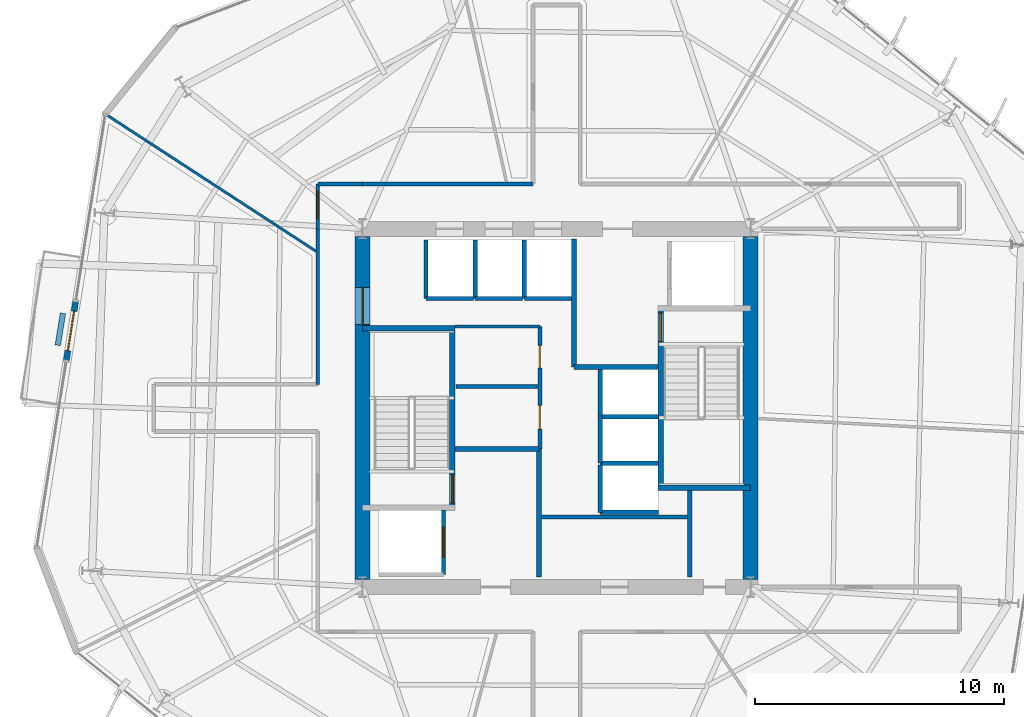
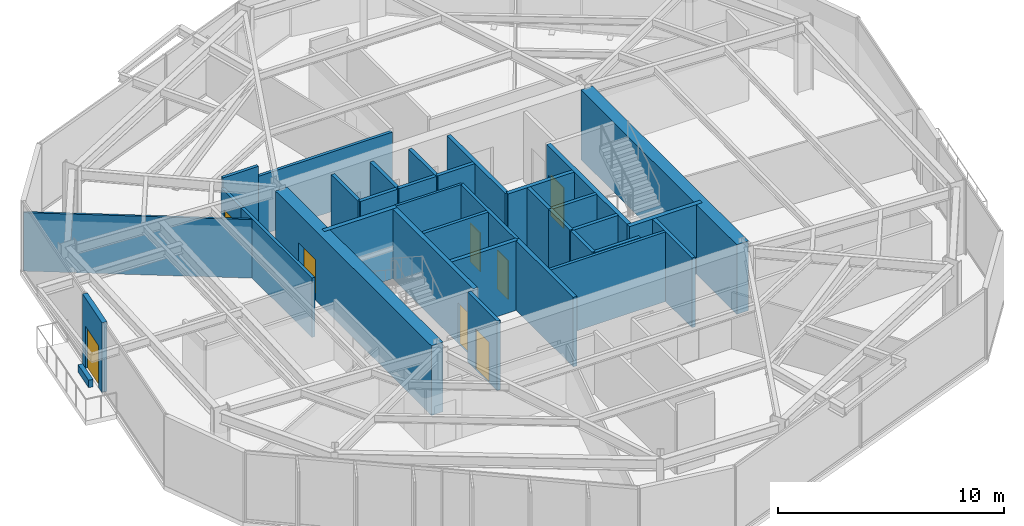
# One storey, part 7 of 11: 35 walls, 8 doors, 8 openings.
"""IFC4 building model written with IfcOpenShell, lengths in metres."""

from ifc_helpers import new_model, si_unit, direction, frame, frame_2d, origin, place, context, subcontext, project, spatial, rectangle, extrude, material, layer, layer_set, type_object, element, fill, save


model = new_model("IFC4")

# Units and contexts
model_context = context("Model", 3, precision=1e-05, world=origin(), true_north=direction((0.0, 1.0)))
body_context = subcontext(model_context, "Body", "Model", "MODEL_VIEW")
ifc_project = project(units=[si_unit("LENGTHUNIT", "METRE"), si_unit("AREAUNIT", "SQUARE_METRE"), si_unit("VOLUMEUNIT", "CUBIC_METRE"), si_unit("PLANEANGLEUNIT", "RADIAN"), si_unit("MASSUNIT", "GRAM", prefix="KILO")], contexts=[model_context])

# Site, building, storey
site_placement = place(None, origin())
site = spatial("IfcSite", under=ifc_project, at=site_placement, CompositionType="ELEMENT")
building_placement = place(site_placement, origin())
building = spatial("IfcBuilding", under=site, at=building_placement, Name="Kranzbogen Civic Tower", CompositionType="ELEMENT")
storey_placement = place(building_placement, frame((0.0, 0.0, 106.39990234375)))
storey = spatial("IfcBuildingStorey", under=building, at=storey_placement, Name="L25", CompositionType="ELEMENT", Elevation=106.39990234375)

# Walls
ifc_material_1 = material(Name="Double-Stud Acoustic Gypsum Partition")
ifc_layer_1 = layer(ifc_material_1, 0.14990234375, Name="Double-Stud Acoustic Gypsum Partition")
ifc_layer_set_1 = layer_set([ifc_layer_1], Name="Double-Stud Acoustic Gypsum Partition")
wall_type_1 = type_object("IfcWallType", Name="Acoustic Corridor and Clinical Partition 150 mm", PredefinedType="PARTITIONING", material=ifc_layer_set_1)
wall_1_placement = place(storey_placement, frame((24.39990234375, 20.610107421875, 0.0), z_axis=(0.0, 0.0, 1.0), x_axis=(1.0, 0.0, 0.0)))
element("IfcWall", 1, at=wall_1_placement, inside=storey, type_object=wall_type_1, Name="L25 records zone North wall", PredefinedType="PARTITIONING", context=body_context, shape_type="SweptSolid", body=[
    extrude(rectangle(XDim=5.900146484375, YDim=0.14990234375, at=frame_2d((2.9501953125, 0.0))), origin(), (0.0, 0.0, 1.0), 3.760009765625),
])
wall_2_placement = place(storey_placement, frame((15.39990234375, 25.949951171875, 0.0), z_axis=(0.0, 0.0, 1.0), x_axis=(0.0, 1.0, 0.0)))
element("IfcWall", 2, at=wall_2_placement, inside=storey, type_object=wall_type_1, Name="L25 corridor partition 07", PredefinedType="PARTITIONING", context=body_context, shape_type="SweptSolid", body=[
    extrude(rectangle(XDim=6.25, YDim=0.14990234375, at=frame_2d((3.125, 0.0))), origin(), (0.0, 0.0, 1.0), 3.210205078125),
])

# Wall, opening, door
wall_3_placement = place(storey_placement, frame((15.39990234375, 32.199951171875, 0.0), z_axis=(0.0, 0.0, 1.0), x_axis=(0.0, 1.0, 0.0)))
wall_3 = element("IfcWall", 3, at=wall_3_placement, inside=storey, type_object=wall_type_1, Name="L25 corridor partition 08", PredefinedType="PARTITIONING", context=body_context, shape_type="SweptSolid", body=[
    extrude(rectangle(XDim=1.800048828125, YDim=0.14990234375, at=frame_2d((0.89990234375, 0.0))), origin(), (0.0, 0.0, 1.0), 3.210205078125),
])
opening_1_placement = place(wall_3_placement, frame((0.4130859375, 0.0, 0.0)))
opening_1 = element("IfcOpeningElement", 4, at=opening_1_placement, cuts=wall_3, Name="Opening D-COR60", PredefinedType="OPENING", context=body_context, shape_type="SweptSolid", body=[
    extrude(rectangle(XDim=1.10009765625, YDim=2.199951171875, at=frame_2d((0.550048828125, 1.10009765625))), frame((0.0, 0.0849609375, 0.0), z_axis=(0.0, -1.0, 0.0), x_axis=(1.0, 0.0, 0.0)), (0.0, 0.0, 1.0), 0.169921875),
])
ifc_material_2 = material(Name="Oak Timber and Fire Core", Category="wood")
door_type_1 = type_object("IfcDoorType", Name="Corridor Acoustic Fire Door 1100x2200", OperationType="NOTDEFINED", PredefinedType="DOOR", material=ifc_material_2)
door_1_placement = place(opening_1_placement, origin())
door_1 = element("IfcDoor", 5, at=door_1_placement, inside=storey, type_object=door_type_1, Name="L25 Protocol Dining Room door", OperationType="SINGLE_SWING_LEFT", OverallHeight=2.199951171875, OverallWidth=1.10009765625, PredefinedType="DOOR", context=body_context, shape_type="SweptSolid", body=[
    extrude(rectangle(XDim=1.10009765625, YDim=2.199951171875, at=frame_2d((0.550048828125, 1.10009765625))), frame((0.0, 0.02490234375, 0.0), z_axis=(0.0, -1.0, 0.0), x_axis=(1.0, 0.0, 0.0)), (0.0, 0.0, 1.0), 0.050048828125),
])
fill(opening_1, door_1)

# Walls
wall_4_placement = place(storey_placement, frame((15.39990234375, 34.0, 0.0), z_axis=(0.0, 0.0, 1.0), x_axis=(1.0, 0.0, 0.0)))
element("IfcWall", 6, at=wall_4_placement, inside=storey, type_object=wall_type_1, Name="L25 corridor partition 09", PredefinedType="PARTITIONING", context=body_context, shape_type="SweptSolid", body=[
    extrude(rectangle(XDim=1.800048828125, YDim=0.14990234375, at=frame_2d((0.89990234375, 0.0))), origin(), (0.0, 0.0, 1.0), 3.760009765625),
])
wall_5_placement = place(storey_placement, frame((17.199951171875, 34.0, 0.0), z_axis=(0.0, 0.0, 1.0), x_axis=(1.0, 0.0, 0.0)))
element("IfcWall", 7, at=wall_5_placement, inside=storey, type_object=wall_type_1, Name="L25 corridor partition 10", PredefinedType="PARTITIONING", context=body_context, shape_type="SweptSolid", body=[
    extrude(rectangle(XDim=6.85009765625, YDim=0.14990234375, at=frame_2d((3.425048828125, 0.0))), origin(), (0.0, 0.0, 1.0), 3.210205078125),
])
ifc_material_3 = material(Name="Insulated Metal-Stud Gypsum Partition")
ifc_layer_2 = layer(ifc_material_3, 0.125, Name="Insulated Metal-Stud Gypsum Partition")
ifc_layer_set_2 = layer_set([ifc_layer_2], Name="Insulated Metal-Stud Gypsum Partition")
wall_type_2 = type_object("IfcWallType", Name="Acoustic Inter-Room Partition 125 mm", PredefinedType="PARTITIONING", material=ifc_layer_set_2)
wall_6_placement = place(storey_placement, frame((20.919921875, 28.280029296875, 0.0), z_axis=(0.0, 0.0, 1.0), x_axis=(1.0, 0.0, 0.0)))
element("IfcWall", 8, at=wall_6_placement, inside=storey, type_object=wall_type_2, Name="L25 core auxiliary North wall", PredefinedType="PARTITIONING", context=body_context, shape_type="SweptSolid", body=[
    extrude(rectangle(XDim=3.405029296875, YDim=0.125, at=frame_2d((1.70263671875, 0.0))), origin(), (0.0, 0.0, 1.0), 3.760009765625),
])
ifc_material_4 = material(Name="Architectural Precast Terracotta Concrete C40/50", Category="masonry")
ifc_layer_3 = layer(ifc_material_4, 0.219970703125, Name="Architectural Precast Terracotta Concrete C40/50")
ifc_layer_set_3 = layer_set([ifc_layer_3], Name="Architectural Precast Terracotta Concrete C40/50")
wall_type_3 = type_object("IfcWallType", Name="Architectural Tree Planter Kerb Wall 220 mm", PredefinedType="USERDEFINED", material=ifc_layer_set_3)
wall_7_placement = place(storey_placement, frame((5.14599609375, 28.802978515625, 0.0), z_axis=(0.0, 0.0, 1.0), x_axis=(-0.156994330722, -0.987599503909, 0.0)))
element("IfcWall", 9, at=wall_7_placement, inside=storey, type_object=wall_type_3, Name="L25 landscaped tree balcony planter L25-TB2", ObjectType="PLANTER_WALL", PredefinedType="USERDEFINED", context=body_context, shape_type="SweptSolid", body=[
    extrude(rectangle(XDim=1.300048828125, YDim=0.219970703125, at=frame_2d((0.64990234375, 0.0))), origin(), (0.0, 0.0, 1.0), 0.400146484375),
])

# Wall, opening, door
ifc_material_5 = material(Name="Concrete C55/67", Category="concrete")
ifc_layer_4 = layer(ifc_material_5, 0.60009765625, Name="Concrete C55/67")
ifc_layer_set_4 = layer_set([ifc_layer_4], Name="Concrete C55/67")
wall_type_4 = type_object("IfcWallType", Name="Central Core Shear Wall 600 mm", PredefinedType="SHEAR", material=ifc_layer_set_4)
wall_8_placement = place(storey_placement, frame((17.199951171875, 31.89990234375, 0.0), z_axis=(0.0, 0.0, 1.0), x_axis=(0.0, -1.0, 0.0)))
wall_8 = element("IfcWall", 10, at=wall_8_placement, inside=storey, type_object=wall_type_4, Name="L25 central core West shear wall", PredefinedType="SHEAR", context=body_context, shape_type="SweptSolid", body=[
    extrude(rectangle(XDim=13.7998046875, YDim=0.60009765625, at=frame_2d((6.89990234375, 0.0))), origin(), (0.0, 0.0, 1.0), 3.760009765625),
])
opening_2_placement = place(wall_8_placement, frame((2.050048828125, 0.0, 0.0)))
opening_2 = element("IfcOpeningElement", 11, at=opening_2_placement, cuts=wall_8, Name="Opening D-DBL15", PredefinedType="OPENING", context=body_context, shape_type="SweptSolid", body=[
    extrude(rectangle(XDim=1.5, YDim=2.199951171875, at=frame_2d((0.75, 1.10009765625))), frame((0.0, 0.31005859375, 0.0), z_axis=(0.0, -1.0, 0.0), x_axis=(1.0, 0.0, 0.0)), (0.0, 0.0, 1.0), 0.6201171875),
])
ifc_material_6 = material(Name="Anodised Bronze and Glass", Category="glass")
door_type_2 = type_object("IfcDoorType", Name="Civic Lobby Double Door 1500x2200", OperationType="DOUBLE_DOOR_SINGLE_SWING", PredefinedType="DOOR", material=ifc_material_6)
door_2_placement = place(opening_2_placement, origin())
door_2 = element("IfcDoor", 12, at=door_2_placement, inside=storey, type_object=door_type_2, Name="L25 Central Lift Lobby West concourse door", OperationType="DOUBLE_DOOR_SINGLE_SWING", OverallHeight=2.199951171875, OverallWidth=1.5, PredefinedType="DOOR", context=body_context, shape_type="SweptSolid", body=[
    extrude(rectangle(XDim=1.5, YDim=2.199951171875, at=frame_2d((0.75, 1.10009765625))), frame((0.0, 0.02490234375, 0.0), z_axis=(0.0, -1.0, 0.0), x_axis=(1.0, 0.0, 0.0)), (0.0, 0.0, 1.0), 0.050048828125),
])
fill(opening_2, door_2)

# Wall
wall_9_placement = place(storey_placement, frame((32.800048828125, 18.10009765625, 0.0), z_axis=(0.0, 0.0, 1.0), x_axis=(0.0, 1.0, 0.0)))
element("IfcWall", 13, at=wall_9_placement, inside=storey, type_object=wall_type_4, Name="L25 central core East shear wall", PredefinedType="SHEAR", context=body_context, shape_type="SweptSolid", body=[
    extrude(rectangle(XDim=13.7998046875, YDim=0.60009765625, at=frame_2d((6.89990234375, 0.0))), origin(), (0.0, 0.0, 1.0), 3.760009765625),
])

# Wall, opening, door
ifc_material_7 = material(Name="Concrete C45/55", Category="concrete")
ifc_layer_5 = layer(ifc_material_7, 0.219970703125, Name="Concrete C45/55")
ifc_layer_set_5 = layer_set([ifc_layer_5], Name="Concrete C45/55")
wall_type_5 = type_object("IfcWallType", Name="Core Internal Stair Structural Wall 220 mm", PredefinedType="SOLIDWALL", material=ifc_layer_set_5)
wall_10_placement = place(storey_placement, frame((20.81005859375, 20.989990234375, 0.0), z_axis=(0.0, 0.0, 1.0), x_axis=(0.0, 1.0, 0.0)))
wall_10 = element("IfcWall", 14, at=wall_10_placement, inside=storey, type_object=wall_type_5, Name="L25 ST-T1 East structural stair wall", PredefinedType="SOLIDWALL", context=body_context, shape_type="SweptSolid", body=[
    extrude(rectangle(XDim=7.219970703125, YDim=0.219970703125, at=frame_2d((3.60986328125, 0.0))), origin(), (0.0, 0.0, 1.0), 3.760009765625),
])
opening_3_placement = place(wall_10_placement, frame((0.179931640625, 0.0, 0.0)))
opening_3 = element("IfcOpeningElement", 15, at=opening_3_placement, cuts=wall_10, Name="Opening D-ST90", PredefinedType="OPENING", context=body_context, shape_type="SweptSolid", body=[
    extrude(rectangle(XDim=1.14990234375, YDim=2.199951171875, at=frame_2d((0.574951171875, 1.10009765625))), frame((0.0, 0.1201171875, 0.0), z_axis=(0.0, -1.0, 0.0), x_axis=(1.0, 0.0, 0.0)), (0.0, 0.0, 1.0), 0.239990234375),
])
ifc_material_8 = material(Name="Steel S355", Category="steel")
door_type_3 = type_object("IfcDoorType", Name="Pressurized Stair and Lobby Fire Door 1150x2200", OperationType="NOTDEFINED", PredefinedType="DOOR", material=ifc_material_8)
door_3_placement = place(opening_3_placement, origin())
door_3 = element("IfcDoor", 16, at=door_3_placement, inside=storey, type_object=door_type_3, Name="L25 Stair ST-T1 fire door", OperationType="SINGLE_SWING_RIGHT", OverallHeight=2.199951171875, OverallWidth=1.14990234375, PredefinedType="DOOR", context=body_context, shape_type="SweptSolid", body=[
    extrude(rectangle(XDim=1.14990234375, YDim=2.199951171875, at=frame_2d((0.574951171875, 1.10009765625))), frame((0.0, 0.02490234375, 0.0), z_axis=(0.0, -1.0, 0.0), x_axis=(1.0, 0.0, 0.0)), (0.0, 0.0, 1.0), 0.050048828125),
])
fill(opening_3, door_3)

# Wall
wall_11_placement = place(storey_placement, frame((17.199951171875, 28.2099609375, 0.0), z_axis=(0.0, 0.0, 1.0), x_axis=(1.0, 0.0, 0.0)))
element("IfcWall", 17, at=wall_11_placement, inside=storey, type_object=wall_type_5, Name="L25 ST-T1 North structural stair wall", PredefinedType="SOLIDWALL", context=body_context, shape_type="SweptSolid", body=[
    extrude(rectangle(XDim=3.719970703125, YDim=0.219970703125, at=frame_2d((1.85986328125, 0.0))), origin(), (0.0, 0.0, 1.0), 3.760009765625),
])

# Wall, opening, door
wall_12_placement = place(storey_placement, frame((29.18994140625, 21.7900390625, 0.0), z_axis=(0.0, 0.0, 1.0), x_axis=(0.0, 1.0, 0.0)))
wall_12 = element("IfcWall", 18, at=wall_12_placement, inside=storey, type_object=wall_type_5, Name="L25 ST-T2 West structural stair wall", PredefinedType="SOLIDWALL", context=body_context, shape_type="SweptSolid", body=[
    extrude(rectangle(XDim=7.219970703125, YDim=0.219970703125, at=frame_2d((3.60986328125, 0.0))), origin(), (0.0, 0.0, 1.0), 3.760009765625),
])
opening_4_placement = place(wall_12_placement, frame((5.8798828125, 0.0, 0.0)))
opening_4 = element("IfcOpeningElement", 19, at=opening_4_placement, cuts=wall_12, Name="Opening D-ST90", PredefinedType="OPENING", context=body_context, shape_type="SweptSolid", body=[
    extrude(rectangle(XDim=1.14990234375, YDim=2.199951171875, at=frame_2d((0.574951171875, 1.10009765625))), frame((0.0, 0.1201171875, 0.0), z_axis=(0.0, -1.0, 0.0), x_axis=(1.0, 0.0, 0.0)), (0.0, 0.0, 1.0), 0.239990234375),
])
door_4_placement = place(opening_4_placement, origin())
door_4 = element("IfcDoor", 20, at=door_4_placement, inside=storey, type_object=door_type_3, Name="L25 Stair ST-T2 fire door", OperationType="SINGLE_SWING_LEFT", OverallHeight=2.199951171875, OverallWidth=1.14990234375, PredefinedType="DOOR", context=body_context, shape_type="SweptSolid", body=[
    extrude(rectangle(XDim=1.14990234375, YDim=2.199951171875, at=frame_2d((0.574951171875, 1.10009765625))), frame((0.0, 0.02490234375, 0.0), z_axis=(0.0, -1.0, 0.0), x_axis=(1.0, 0.0, 0.0)), (0.0, 0.0, 1.0), 0.050048828125),
])
fill(opening_4, door_4)

# Walls
wall_13_placement = place(storey_placement, frame((29.080078125, 21.7900390625, 0.0), z_axis=(0.0, 0.0, 1.0), x_axis=(1.0, 0.0, 0.0)))
element("IfcWall", 21, at=wall_13_placement, inside=storey, type_object=wall_type_5, Name="L25 ST-T2 South structural stair wall", PredefinedType="SOLIDWALL", context=body_context, shape_type="SweptSolid", body=[
    extrude(rectangle(XDim=3.719970703125, YDim=0.219970703125, at=frame_2d((1.85986328125, 0.0))), origin(), (0.0, 0.0, 1.0), 3.760009765625),
])
ifc_material_9 = material(Name="Demountable Aluminium and Gypsum Partition", Category="aluminium")
ifc_layer_6 = layer(ifc_material_9, 0.10009765625, Name="Demountable Aluminium and Gypsum Partition")
ifc_layer_set_6 = layer_set([ifc_layer_6], Name="Demountable Aluminium and Gypsum Partition")
wall_type_6 = type_object("IfcWallType", Name="Demountable Office Partition 100 mm", PredefinedType="MOVABLE", material=ifc_layer_set_6)
wall_14_placement = place(storey_placement, frame((15.39990234375, 31.251953125, 0.0), z_axis=(0.0, 0.0, 1.0), x_axis=(-0.837949628646, 0.545747578878, 0.0)))
element("IfcWall", 22, at=wall_14_placement, inside=storey, type_object=wall_type_6, Name="L25 radial room partition 03", PredefinedType="MOVABLE", context=body_context, shape_type="SweptSolid", body=[
    extrude(rectangle(XDim=10.180908203125, YDim=0.10009765625, at=frame_2d((5.09033203125, 0.0))), origin(), (0.0, 0.0, 1.0), 3.16015625),
])
ifc_material_10 = material(Name="Gypsum Fireboard and Concrete Block", Category="concrete")
ifc_layer_7 = layer(ifc_material_10, 0.199951171875, Name="Gypsum Fireboard and Concrete Block")
ifc_layer_set_7 = layer_set([ifc_layer_7], Name="Gypsum Fireboard and Concrete Block")
wall_type_7 = type_object("IfcWallType", Name="Fire-Rated Exit Passageway and Stair Wall 200 mm", PredefinedType="PARTITIONING", material=ifc_layer_set_7)
wall_15_placement = place(storey_placement, frame((24.300048828125, 18.199951171875, 0.0), z_axis=(0.0, 0.0, 1.0), x_axis=(0.0, 1.0, 0.0)))
element("IfcWall", 23, at=wall_15_placement, inside=storey, type_object=wall_type_7, Name="L25 West firefighting lobby East wall", PredefinedType="PARTITIONING", context=body_context, shape_type="SweptSolid", body=[
    extrude(rectangle(XDim=5.150146484375, YDim=0.199951171875, at=frame_2d((2.5751953125, 0.0))), origin(), (0.0, 0.0, 1.0), 3.760009765625),
])
wall_16_placement = place(storey_placement, frame((20.919921875, 23.35009765625, 0.0), z_axis=(0.0, 0.0, 1.0), x_axis=(1.0, 0.0, 0.0)))
element("IfcWall", 24, at=wall_16_placement, inside=storey, type_object=wall_type_7, Name="L25 West firefighting lobby North wall", PredefinedType="PARTITIONING", context=body_context, shape_type="SweptSolid", body=[
    extrude(rectangle(XDim=3.380126953125, YDim=0.199951171875, at=frame_2d((1.68994140625, 0.0))), origin(), (0.0, 0.0, 1.0), 3.760009765625),
])
wall_17_placement = place(storey_placement, frame((25.699951171875, 26.64990234375, 0.0), z_axis=(0.0, 0.0, 1.0), x_axis=(0.0, 1.0, 0.0)))
element("IfcWall", 25, at=wall_17_placement, inside=storey, type_object=wall_type_7, Name="L25 East firefighting lobby West wall", PredefinedType="PARTITIONING", context=body_context, shape_type="SweptSolid", body=[
    extrude(rectangle(XDim=5.150146484375, YDim=0.199951171875, at=frame_2d((2.5751953125, 0.0))), origin(), (0.0, 0.0, 1.0), 3.760009765625),
])
wall_18_placement = place(storey_placement, frame((25.699951171875, 26.64990234375, 0.0), z_axis=(0.0, 0.0, 1.0), x_axis=(1.0, 0.0, 0.0)))
element("IfcWall", 26, at=wall_18_placement, inside=storey, type_object=wall_type_7, Name="L25 East firefighting lobby South wall", PredefinedType="PARTITIONING", context=body_context, shape_type="SweptSolid", body=[
    extrude(rectangle(XDim=3.380126953125, YDim=0.199951171875, at=frame_2d((1.68994140625, 0.0))), origin(), (0.0, 0.0, 1.0), 3.760009765625),
])
ifc_material_11 = material(Name="Gypsum Fireboard Shaftliner")
ifc_layer_8 = layer(ifc_material_11, 0.175048828125, Name="Gypsum Fireboard Shaftliner")
ifc_layer_set_8 = layer_set([ifc_layer_8], Name="Gypsum Fireboard Shaftliner")
wall_type_8 = type_object("IfcWallType", Name="Fire-Rated Lift and Service Shaft Wall 175 mm", PredefinedType="PARTITIONING", material=ifc_layer_set_8)
wall_19_placement = place(storey_placement, frame((30.35009765625, 18.199951171875, 0.0), z_axis=(0.0, 0.0, 1.0), x_axis=(0.0, 1.0, 0.0)))
element("IfcWall", 27, at=wall_19_placement, inside=storey, type_object=wall_type_8, Name="L25 East core riser West wall", PredefinedType="PARTITIONING", context=body_context, shape_type="SweptSolid", body=[
    extrude(rectangle(XDim=3.47998046875, YDim=0.175048828125, at=frame_2d((1.739990234375, 0.0))), origin(), (0.0, 0.0, 1.0), 3.760009765625),
])
wall_20_placement = place(storey_placement, frame((19.75, 29.39990234375, 0.0), z_axis=(0.0, 0.0, 1.0), x_axis=(1.0, 0.0, 0.0)))
element("IfcWall", 28, at=wall_20_placement, inside=storey, type_object=wall_type_8, Name="L25 lift MP-01 rear wall", PredefinedType="PARTITIONING", context=body_context, shape_type="SweptSolid", body=[
    extrude(rectangle(XDim=1.89990234375, YDim=0.175048828125, at=frame_2d((0.949951171875, 0.0))), origin(), (0.0, 0.0, 1.0), 3.760009765625),
])
wall_21_placement = place(storey_placement, frame((19.75, 29.39990234375, 0.0), z_axis=(0.0, 0.0, 1.0), x_axis=(0.0, 1.0, 0.0)))
element("IfcWall", 29, at=wall_21_placement, inside=storey, type_object=wall_type_8, Name="L25 lift MP-01 side wall", PredefinedType="PARTITIONING", context=body_context, shape_type="SweptSolid", body=[
    extrude(rectangle(XDim=2.35009765625, YDim=0.175048828125, at=frame_2d((1.175048828125, 0.0))), origin(), (0.0, 0.0, 1.0), 3.760009765625),
])
wall_22_placement = place(storey_placement, frame((21.72509765625, 29.39990234375, 0.0), z_axis=(0.0, 0.0, 1.0), x_axis=(1.0, 0.0, 0.0)))
element("IfcWall", 30, at=wall_22_placement, inside=storey, type_object=wall_type_8, Name="L25 lift MP-02 rear wall", PredefinedType="PARTITIONING", context=body_context, shape_type="SweptSolid", body=[
    extrude(rectangle(XDim=1.89990234375, YDim=0.175048828125, at=frame_2d((0.949951171875, 0.0))), origin(), (0.0, 0.0, 1.0), 3.760009765625),
])
wall_23_placement = place(storey_placement, frame((21.72509765625, 29.39990234375, 0.0), z_axis=(0.0, 0.0, 1.0), x_axis=(0.0, 1.0, 0.0)))
element("IfcWall", 31, at=wall_23_placement, inside=storey, type_object=wall_type_8, Name="L25 lift MP-02 side wall", PredefinedType="PARTITIONING", context=body_context, shape_type="SweptSolid", body=[
    extrude(rectangle(XDim=2.35009765625, YDim=0.175048828125, at=frame_2d((1.175048828125, 0.0))), origin(), (0.0, 0.0, 1.0), 3.760009765625),
])
wall_24_placement = place(storey_placement, frame((23.699951171875, 29.39990234375, 0.0), z_axis=(0.0, 0.0, 1.0), x_axis=(1.0, 0.0, 0.0)))
element("IfcWall", 32, at=wall_24_placement, inside=storey, type_object=wall_type_8, Name="L25 lift MP-03 rear wall", PredefinedType="PARTITIONING", context=body_context, shape_type="SweptSolid", body=[
    extrude(rectangle(XDim=1.900146484375, YDim=0.175048828125, at=frame_2d((0.9501953125, 0.0))), origin(), (0.0, 0.0, 1.0), 3.760009765625),
])
wall_25_placement = place(storey_placement, frame((23.699951171875, 29.39990234375, 0.0), z_axis=(0.0, 0.0, 1.0), x_axis=(0.0, 1.0, 0.0)))
element("IfcWall", 33, at=wall_25_placement, inside=storey, type_object=wall_type_8, Name="L25 lift MP-03 side wall", PredefinedType="PARTITIONING", context=body_context, shape_type="SweptSolid", body=[
    extrude(rectangle(XDim=2.35009765625, YDim=0.175048828125, at=frame_2d((1.175048828125, 0.0))), origin(), (0.0, 0.0, 1.0), 3.760009765625),
])
wall_26_placement = place(storey_placement, frame((26.75, 20.800048828125, 0.0), z_axis=(0.0, 0.0, 1.0), x_axis=(0.0, 1.0, 0.0)))
element("IfcWall", 34, at=wall_26_placement, inside=storey, type_object=wall_type_8, Name="L25 lift HP-01 landing wall", PredefinedType="PARTITIONING", context=body_context, shape_type="SweptSolid", body=[
    extrude(rectangle(XDim=1.89990234375, YDim=0.175048828125, at=frame_2d((0.949951171875, 0.0))), origin(), (0.0, 0.0, 1.0), 3.760009765625),
])
wall_27_placement = place(storey_placement, frame((26.75, 20.800048828125, 0.0), z_axis=(0.0, 0.0, 1.0), x_axis=(1.0, 0.0, 0.0)))
element("IfcWall", 35, at=wall_27_placement, inside=storey, type_object=wall_type_8, Name="L25 lift HP-01 side wall", PredefinedType="PARTITIONING", context=body_context, shape_type="SweptSolid", body=[
    extrude(rectangle(XDim=2.35009765625, YDim=0.175048828125, at=frame_2d((1.175048828125, 0.0))), origin(), (0.0, 0.0, 1.0), 3.760009765625),
])
wall_28_placement = place(storey_placement, frame((26.75, 22.77490234375, 0.0), z_axis=(0.0, 0.0, 1.0), x_axis=(0.0, 1.0, 0.0)))
element("IfcWall", 36, at=wall_28_placement, inside=storey, type_object=wall_type_8, Name="L25 lift HP-02 landing wall", PredefinedType="PARTITIONING", context=body_context, shape_type="SweptSolid", body=[
    extrude(rectangle(XDim=1.900146484375, YDim=0.175048828125, at=frame_2d((0.9501953125, 0.0))), origin(), (0.0, 0.0, 1.0), 3.760009765625),
])
wall_29_placement = place(storey_placement, frame((26.75, 22.77490234375, 0.0), z_axis=(0.0, 0.0, 1.0), x_axis=(1.0, 0.0, 0.0)))
element("IfcWall", 37, at=wall_29_placement, inside=storey, type_object=wall_type_8, Name="L25 lift HP-02 side wall", PredefinedType="PARTITIONING", context=body_context, shape_type="SweptSolid", body=[
    extrude(rectangle(XDim=2.35009765625, YDim=0.175048828125, at=frame_2d((1.175048828125, 0.0))), origin(), (0.0, 0.0, 1.0), 3.760009765625),
])
wall_30_placement = place(storey_placement, frame((26.75, 24.64990234375, 0.0), z_axis=(0.0, 0.0, 1.0), x_axis=(0.0, 1.0, 0.0)))
element("IfcWall", 38, at=wall_30_placement, inside=storey, type_object=wall_type_8, Name="L25 lift HP-03 landing wall", PredefinedType="PARTITIONING", context=body_context, shape_type="SweptSolid", body=[
    extrude(rectangle(XDim=1.900146484375, YDim=0.175048828125, at=frame_2d((0.9501953125, 0.0))), origin(), (0.0, 0.0, 1.0), 3.760009765625),
])
wall_31_placement = place(storey_placement, frame((26.75, 24.64990234375, 0.0), z_axis=(0.0, 0.0, 1.0), x_axis=(1.0, 0.0, 0.0)))
element("IfcWall", 39, at=wall_31_placement, inside=storey, type_object=wall_type_8, Name="L25 lift HP-03 side wall", PredefinedType="PARTITIONING", context=body_context, shape_type="SweptSolid", body=[
    extrude(rectangle(XDim=2.35009765625, YDim=0.175048828125, at=frame_2d((1.175048828125, 0.0))), origin(), (0.0, 0.0, 1.0), 3.760009765625),
])

# Wall, opening, door
wall_32_placement = place(storey_placement, frame((20.449951171875, 18.300048828125, 0.0), z_axis=(0.0, 0.0, 1.0), x_axis=(0.0, 1.0, 0.0)))
wall_32 = element("IfcWall", 40, at=wall_32_placement, inside=storey, type_object=wall_type_8, Name="L25 lift FF-01 landing wall", PredefinedType="PARTITIONING", context=body_context, shape_type="SweptSolid", body=[
    extrude(rectangle(XDim=2.599853515625, YDim=0.175048828125, at=frame_2d((1.2998046875, 0.0))), origin(), (0.0, 0.0, 1.0), 3.760009765625),
])
opening_5_placement = place(wall_32_placement, frame((0.699951171875, 0.0, 0.0)))
opening_5 = element("IfcOpeningElement", 41, at=opening_5_placement, cuts=wall_32, Name="Opening LD-FF-01", PredefinedType="OPENING", context=body_context, shape_type="SweptSolid", body=[
    extrude(rectangle(XDim=1.199951171875, YDim=2.199951171875, at=frame_2d((0.60009765625, 1.10009765625))), frame((0.0, 0.09765625, 0.0), z_axis=(0.0, -1.0, 0.0), x_axis=(1.0, 0.0, 0.0)), (0.0, 0.0, 1.0), 0.195068359375),
])
ifc_material_12 = material(Name="Pale Anodised Aluminium", Category="aluminium")
door_type_4 = type_object("IfcDoorType", Name="Firefighting and Stretcher Lift Sliding Landing Door 1200x2200", OperationType="DOUBLE_DOOR_SLIDING", PredefinedType="DOOR", material=ifc_material_12)
door_5_placement = place(opening_5_placement, origin())
door_5 = element("IfcDoor", 42, at=door_5_placement, inside=storey, type_object=door_type_4, Name="L25 lift FF-01 sliding landing door", OperationType="DOUBLE_DOOR_SLIDING", OverallHeight=2.199951171875, OverallWidth=1.199951171875, PredefinedType="DOOR", context=body_context, shape_type="SweptSolid", body=[
    extrude(rectangle(XDim=1.199951171875, YDim=2.199951171875, at=frame_2d((0.60009765625, 1.10009765625))), frame((0.0, 0.02490234375, 0.0), z_axis=(0.0, -1.0, 0.0), x_axis=(1.0, 0.0, 0.0)), (0.0, 0.0, 1.0), 0.050048828125),
])
fill(opening_5, door_5)

ifc_layer_9 = layer(ifc_material_12, 0.239990234375, Name="Pale Anodised Aluminium")
ifc_layer_set_9 = layer_set([ifc_layer_9], Name="Pale Anodised Aluminium")
wall_type_9 = type_object("IfcWallType", Name="Insulated Aluminium Facade Portal Wall 240 mm", PredefinedType="STANDARD", material=ifc_layer_set_9)
wall_33_placement = place(storey_placement, frame((5.658935546875, 29.278076171875, 0.0), z_axis=(0.0, 0.0, 1.0), x_axis=(-0.156673033509, -0.987650525526, 0.0)))
wall_33 = element("IfcWall", 43, at=wall_33_placement, inside=storey, type_object=wall_type_9, Name="L25 exterior entrance portal wall 1", PredefinedType="STANDARD", context=body_context, shape_type="SweptSolid", body=[
    extrude(rectangle(XDim=2.399658203125, YDim=0.239990234375, at=frame_2d((1.19970703125, 0.0))), origin(), (0.0, 0.0, 1.0), 3.760009765625),
])
opening_6_placement = place(wall_33_placement, frame((0.39990234375, 0.0, 0.0)))
opening_6 = element("IfcOpeningElement", 44, at=opening_6_placement, cuts=wall_33, Name="Opening D-TER", PredefinedType="OPENING", context=body_context, shape_type="SweptSolid", body=[
    extrude(rectangle(XDim=1.60009765625, YDim=2.25, at=frame_2d((0.800048828125, 1.125))), frame((0.0, 0.1298828125, 0.0), z_axis=(0.0, -1.0, 0.0), x_axis=(1.0, 0.0, 0.0)), (0.0, 0.0, 1.0), 0.260009765625),
])
ifc_material_13 = material(Name="Anodised Bronze and Triple Glass", Category="glass")
door_type_5 = type_object("IfcDoorType", Name="Glazed Terrace and Balcony Double Door 1600x2250", OperationType="DOUBLE_DOOR_SINGLE_SWING", PredefinedType="DOOR", material=ifc_material_13)
door_6_placement = place(opening_6_placement, frame((1.60009765625, 0.0, 0.0), z_axis=(0.0, 0.0, 1.0), x_axis=(-1.0, 0.0, 0.0)))
door_6 = element("IfcDoor", 45, at=door_6_placement, inside=storey, type_object=door_type_5, Name="L25 tree balcony access door L25-TB2", OperationType="DOUBLE_DOOR_SINGLE_SWING", OverallHeight=2.25, OverallWidth=1.60009765625, PredefinedType="DOOR", context=body_context, shape_type="SweptSolid", body=[
    extrude(rectangle(XDim=1.60009765625, YDim=2.25, at=frame_2d((0.800048828125, 1.125))), frame((0.0, 0.02490234375, 0.0), z_axis=(0.0, -1.0, 0.0), x_axis=(1.0, 0.0, 0.0)), (0.0, 0.0, 1.0), 0.050048828125),
])
fill(opening_6, door_6)

# Wall, openings, doors
ifc_material_14 = material(Name="Moisture-Resistant Gypsum Assembly")
ifc_layer_10 = layer(ifc_material_14, 0.159912109375, Name="Moisture-Resistant Gypsum Assembly")
ifc_layer_set_10 = layer_set([ifc_layer_10], Name="Moisture-Resistant Gypsum Assembly")
wall_type_10 = type_object("IfcWallType", Name="Sanitary and Plumbing Wet Wall 160 mm", PredefinedType="PLUMBINGWALL", material=ifc_layer_set_10)
wall_34_placement = place(storey_placement, frame((24.324951171875, 23.35009765625, 0.0), z_axis=(0.0, 0.0, 1.0), x_axis=(0.0, 1.0, 0.0)))
wall_34 = element("IfcWall", 46, at=wall_34_placement, inside=storey, type_object=wall_type_10, Name="L25 core auxiliary East wall", PredefinedType="PLUMBINGWALL", context=body_context, shape_type="SweptSolid", body=[
    extrude(rectangle(XDim=4.929931640625, YDim=0.159912109375, at=frame_2d((2.46484375, 0.0))), origin(), (0.0, 0.0, 1.0), 3.760009765625),
])
opening_7_placement = place(wall_34_placement, frame((0.800048828125, 0.0, 0.0)))
opening_7 = element("IfcOpeningElement", 47, at=opening_7_placement, cuts=wall_34, Name="Opening D-AWC95", PredefinedType="OPENING", context=body_context, shape_type="SweptSolid", body=[
    extrude(rectangle(XDim=0.949951171875, YDim=2.10009765625, at=frame_2d((0.47509765625, 1.050048828125))), frame((0.0, 0.08984375, 0.0), z_axis=(0.0, -1.0, 0.0), x_axis=(1.0, 0.0, 0.0)), (0.0, 0.0, 1.0), 0.179931640625),
])
opening_8_placement = place(wall_34_placement, frame((3.260009765625, 0.0, 0.0)))
opening_8 = element("IfcOpeningElement", 48, at=opening_8_placement, cuts=wall_34, Name="Opening D-WC90", PredefinedType="OPENING", context=body_context, shape_type="SweptSolid", body=[
    extrude(rectangle(XDim=0.89990234375, YDim=2.10009765625, at=frame_2d((0.449951171875, 1.050048828125))), frame((0.0, 0.08984375, 0.0), z_axis=(0.0, -1.0, 0.0), x_axis=(1.0, 0.0, 0.0)), (0.0, 0.0, 1.0), 0.179931640625),
])
ifc_material_15 = material(Name="Moisture-Resistant Laminate")
door_type_6 = type_object("IfcDoorType", Name="Accessible Restroom Door 950x2100", OperationType="NOTDEFINED", PredefinedType="DOOR", material=ifc_material_15)
door_7_placement = place(opening_7_placement, origin())
door_7 = element("IfcDoor", 49, at=door_7_placement, inside=storey, type_object=door_type_6, Name="L25 Accessible Restroom door", OperationType="SINGLE_SWING_RIGHT", OverallHeight=2.10009765625, OverallWidth=0.949951171875, PredefinedType="DOOR", context=body_context, shape_type="SweptSolid", body=[
    extrude(rectangle(XDim=0.949951171875, YDim=2.10009765625, at=frame_2d((0.47509765625, 1.050048828125))), frame((0.0, 0.02490234375, 0.0), z_axis=(0.0, -1.0, 0.0), x_axis=(1.0, 0.0, 0.0)), (0.0, 0.0, 1.0), 0.050048828125),
])
fill(opening_7, door_7)
door_type_7 = type_object("IfcDoorType", Name="Standard Restroom and Store Door 900x2100", OperationType="NOTDEFINED", PredefinedType="DOOR", material=ifc_material_15)
door_8_placement = place(opening_8_placement, origin())
door_8 = element("IfcDoor", 50, at=door_8_placement, inside=storey, type_object=door_type_7, Name="L25 Staff Restroom door", OperationType="SINGLE_SWING_LEFT", OverallHeight=2.10009765625, OverallWidth=0.89990234375, PredefinedType="DOOR", context=body_context, shape_type="SweptSolid", body=[
    extrude(rectangle(XDim=0.89990234375, YDim=2.10009765625, at=frame_2d((0.449951171875, 1.050048828125))), frame((0.0, 0.02490234375, 0.0), z_axis=(0.0, -1.0, 0.0), x_axis=(1.0, 0.0, 0.0)), (0.0, 0.0, 1.0), 0.050048828125),
])
fill(opening_8, door_8)

# Wall
wall_35_placement = place(storey_placement, frame((20.949951171875, 25.860107421875, 0.0), z_axis=(0.0, 0.0, 1.0), x_axis=(1.0, 0.0, 0.0)))
element("IfcWall", 51, at=wall_35_placement, inside=storey, type_object=wall_type_10, Name="L25 core auxiliary partition 1", PredefinedType="PLUMBINGWALL", context=body_context, shape_type="SweptSolid", body=[
    extrude(rectangle(XDim=3.300048828125, YDim=0.159912109375, at=frame_2d((1.64990234375, 0.0))), origin(), (0.0, 0.0, 1.0), 3.760009765625),
])

save(model, "model.ifc")
